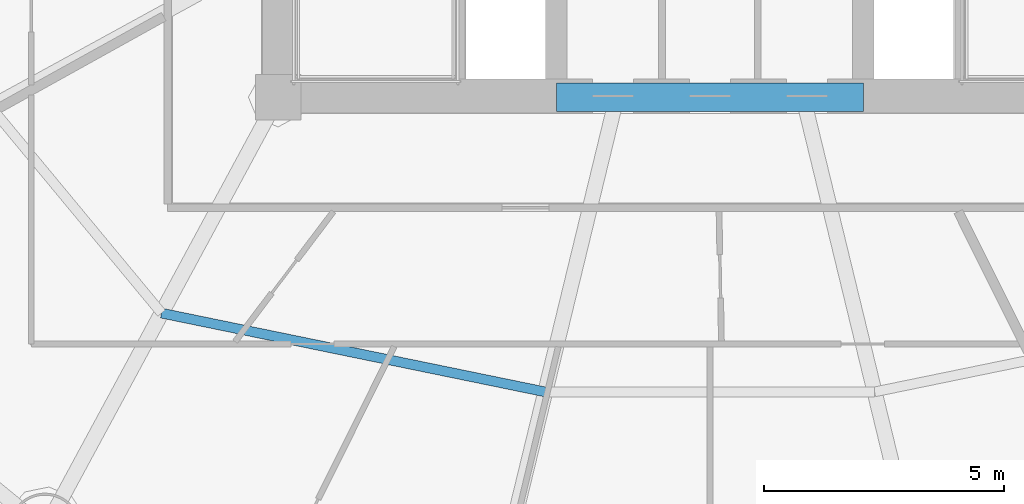
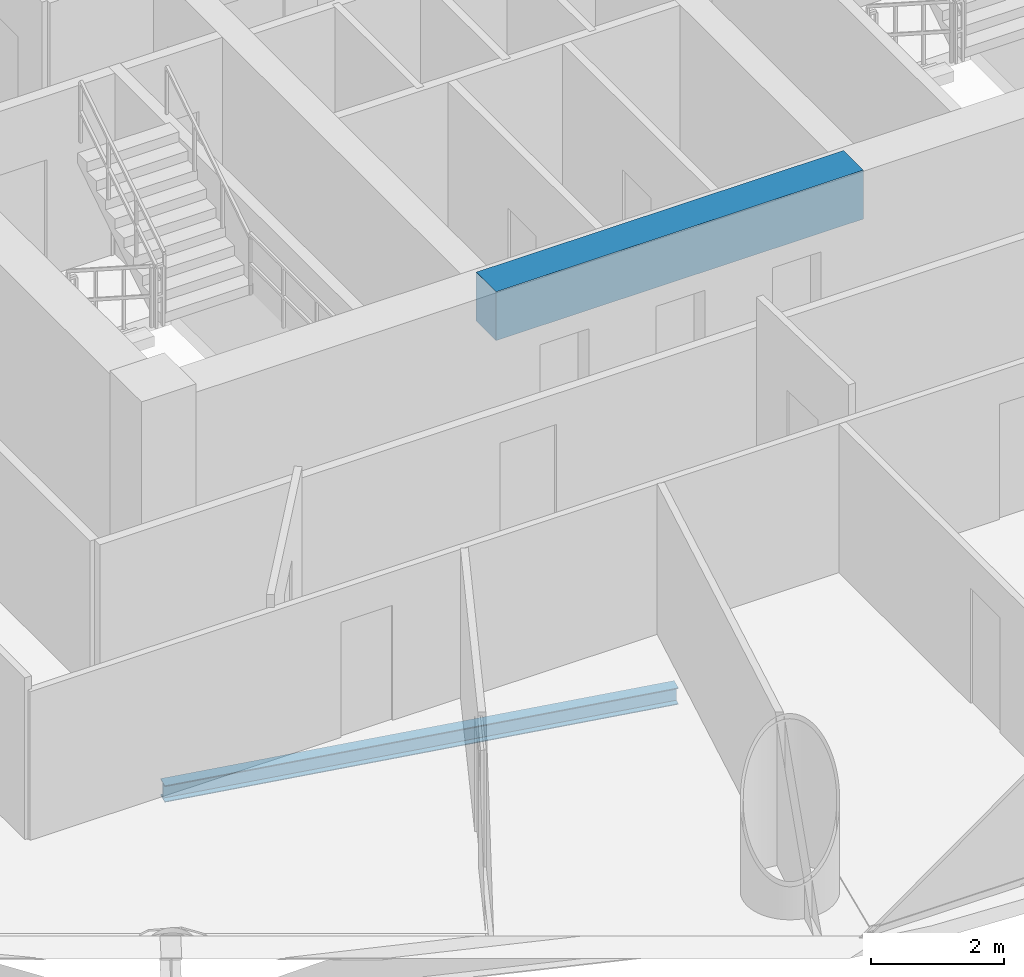
# One storey, part 5 of 28: 2 beams.
"""IFC4 building model written with IfcOpenShell, lengths in metres."""

from ifc_helpers import new_model, si_unit, direction, frame, origin, origin_2d, place, context, subcontext, project, spatial, rectangle, i_section, extrude, material, material_profile, profile_set, type_object, element, save


model = new_model("IFC4")

# Units and contexts
model_context = context("Model", 3, precision=1e-05, world=origin(), true_north=direction((-0.2419218956, 0.970295726276)))
body_context = subcontext(model_context, "Body", "Model", "MODEL_VIEW")
ifc_project = project(units=[si_unit("LENGTHUNIT", "METRE"), si_unit("AREAUNIT", "SQUARE_METRE"), si_unit("VOLUMEUNIT", "CUBIC_METRE"), si_unit("PLANEANGLEUNIT", "RADIAN"), si_unit("MASSUNIT", "GRAM", prefix="KILO")], contexts=[model_context])

# Site, building, storey
site_placement = place(None, origin())
site = spatial("IfcSite", under=ifc_project, at=site_placement, CompositionType="ELEMENT")
building_placement = place(site_placement, origin())
building = spatial("IfcBuilding", under=site, at=building_placement, Name="Cobrevalo Terracotta Tower", CompositionType="ELEMENT")
storey_placement = place(building_placement, frame((0.0, 0.0, 101.39990234375)))
storey = spatial("IfcBuildingStorey", under=building, at=storey_placement, Name="L26", CompositionType="ELEMENT", Elevation=101.39990234375)

# Beams
ifc_material_1 = material(Name="Concrete C60", Category="concrete")
ifc_material_profile_1 = material_profile(ifc_material_1, rectangle(XDim=0.60009765625, YDim=0.89990234375, at=origin_2d()), Name="RC CB 600x900")
ifc_profile_set_1 = profile_set([ifc_material_profile_1], Name="Concrete C60")
beam_type_1 = type_object("IfcBeamType", Name="Structural Beam RC CB 600x900 (Concrete C60)", PredefinedType="BEAM", material=ifc_profile_set_1)
beam_1_placement = place(storey_placement, frame((34.800048828125, 18.800048828125, 2.875), z_axis=(1.0, 0.0, 0.0), x_axis=(0.0, 1.0, 0.0)))
element("IfcBeam", 1, at=beam_1_placement, inside=storey, type_object=beam_type_1, Name="L26 core coupling beam 1", PredefinedType="BEAM", context=body_context, shape_type="SweptSolid", body=[
    extrude(rectangle(XDim=0.60009765625, YDim=0.89990234375, at=origin_2d()), origin(), (0.0, 0.0, 1.0), 6.39990234375),
])
ifc_material_2 = material(Name="Steel S355", Category="steel")
ifc_material_profile_2 = material_profile(ifc_material_2, i_section(OverallWidth=0.2041015625, OverallDepth=0.305908203125, WebThickness=0.008544921875, FlangeThickness=0.0146484375, at=origin_2d()), Name="W 310x67")
ifc_profile_set_2 = profile_set([ifc_material_profile_2], Name="Steel S355")
beam_type_2 = type_object("IfcBeamType", Name="Structural Joist W 310x67 (Steel S355)", PredefinedType="JOIST", material=ifc_profile_set_2)
beam_2_placement = place(storey_placement, frame((26.5693359375, 14.29833984375, -0.427978515625), z_axis=(0.979574469315, -0.201081722357, 0.0), x_axis=(0.201081722357, 0.979574469315, 0.0)))
element("IfcBeam", 2, at=beam_2_placement, inside=storey, type_object=beam_type_2, Name="L26 circumferential secondary floor joist 11", PredefinedType="JOIST", context=body_context, shape_type="SweptSolid", body=[
    extrude(i_section(OverallWidth=0.2041015625, OverallDepth=0.305908203125, WebThickness=0.008544921875, FlangeThickness=0.0146484375, at=origin_2d()), origin(), (0.0, 0.0, 1.0), 8.1650390625),
])

save(model, "model.ifc")
